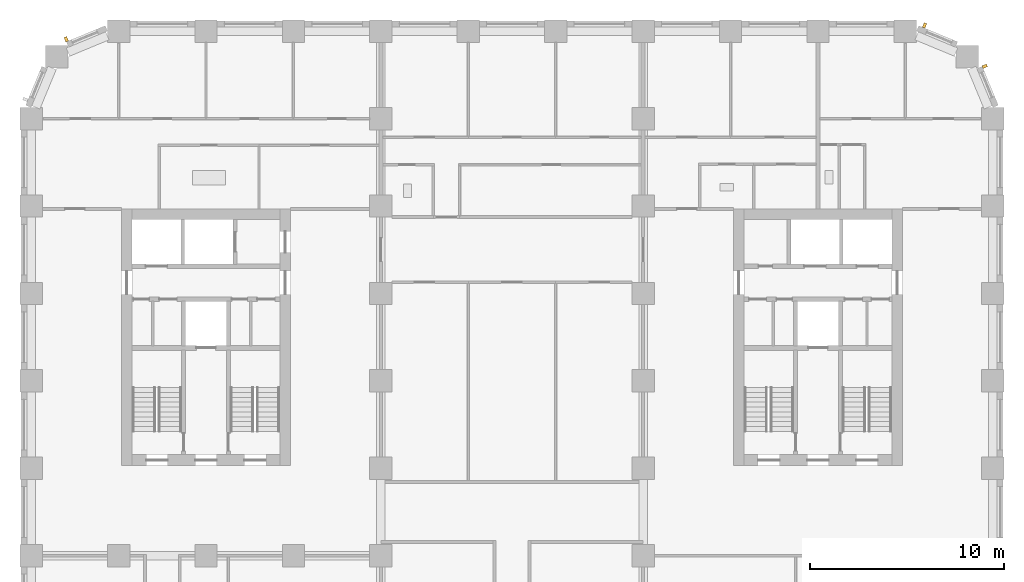
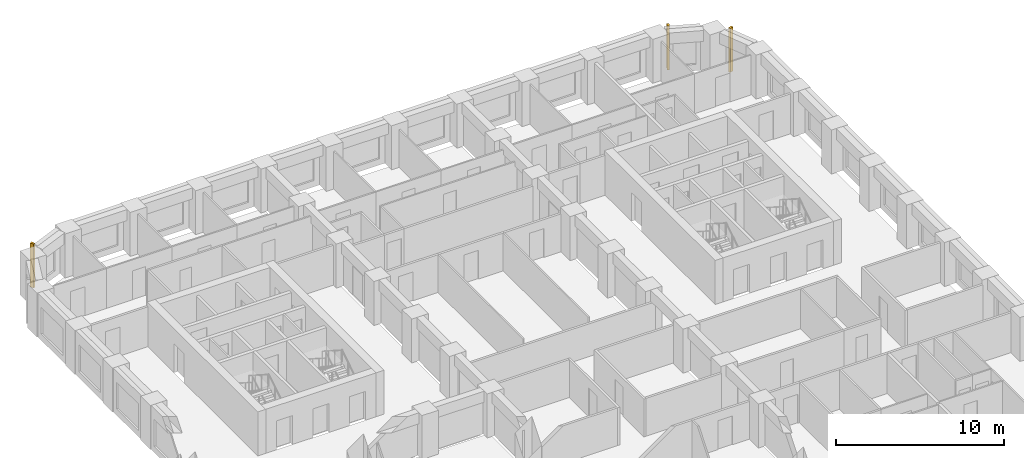
# One storey, part 12 of 13: 3 shading devices.
"""IFC4 building model written with IfcOpenShell, lengths in metres."""

from ifc_helpers import new_model, si_unit, direction, frame, origin, origin_2d, place, context, subcontext, project, spatial, rectangle, extrude, material, type_object, element, save


model = new_model("IFC4")

# Units and contexts
model_context = context("Model", 3, precision=1e-05, world=origin(), true_north=direction((0.0, 1.0)))
body_context = subcontext(model_context, "Body", "Model", "MODEL_VIEW")
ifc_project = project(units=[si_unit("LENGTHUNIT", "METRE"), si_unit("AREAUNIT", "SQUARE_METRE"), si_unit("VOLUMEUNIT", "CUBIC_METRE"), si_unit("PLANEANGLEUNIT", "RADIAN"), si_unit("MASSUNIT", "GRAM", prefix="KILO")], contexts=[model_context])

# Site, building, storey
site_placement = place(None, origin())
site = spatial("IfcSite", under=ifc_project, at=site_placement, CompositionType="ELEMENT")
building_placement = place(site_placement, origin())
building = spatial("IfcBuilding", under=site, at=building_placement, Name="Girih Gate Residences", CompositionType="ELEMENT")
storey_placement = place(building_placement, frame((0.0, 0.0, 96.0)))
storey = spatial("IfcBuildingStorey", under=building, at=storey_placement, Name="L26", CompositionType="ELEMENT", Elevation=96.0)

# Shading devices
ifc_material = material(Name="Precast concrete C50/60", Category="concrete")
shading_device_type = type_object("IfcShadingDeviceType", Name="Corner rib 150x250", PredefinedType="USERDEFINED", material=ifc_material)
for number, where, z_axis, x_axis, name in (
    (1, (49.087646484375, 47.6943359375, 0.0), (0.0, 0.0, 1.0), (-0.382683432365, 0.923879532511, 0.0), "Corner rib NE0495_0450.0"),
    (2, (45.985107421875, 49.79541015625, 0.0), (0.0, 0.0, 1.0), (-0.923879532511, 0.382683432365, 0.0), "Corner rib NE0482_0482.0"),
    (3, (1.8056640625, 49.087646484375, 0.0), (0.0, 0.0, 1.0), (-0.923879532511, -0.382683432365, 0.0), "Corner rib NW0045_0495.0"),
):
    element("IfcShadingDevice", number, at=place(storey_placement, frame(where, z_axis=z_axis, x_axis=x_axis)), inside=storey, type_object=shading_device_type, Name=name, ObjectType="FIN", PredefinedType="USERDEFINED", context=body_context, shape_type="SweptSolid", body=[
        extrude(rectangle(XDim=0.14990234375, YDim=0.25, at=origin_2d()), origin(), (0.0, 0.0, 1.0), 3.199951171875),
    ])

save(model, "model.ifc")
